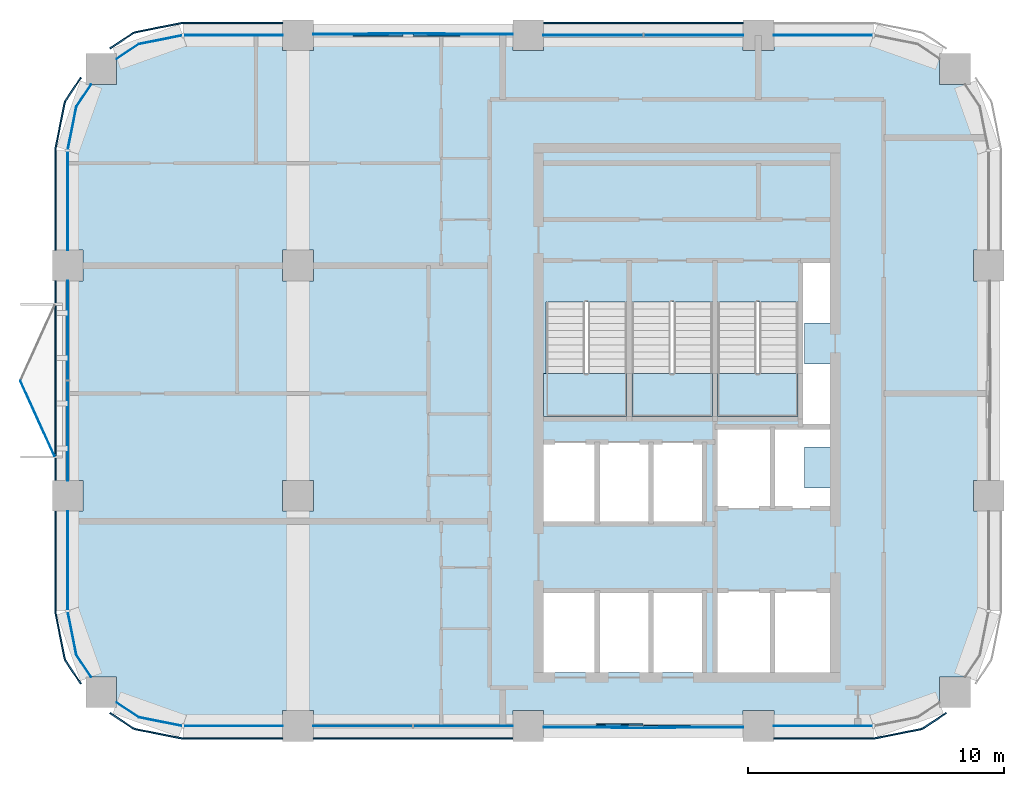
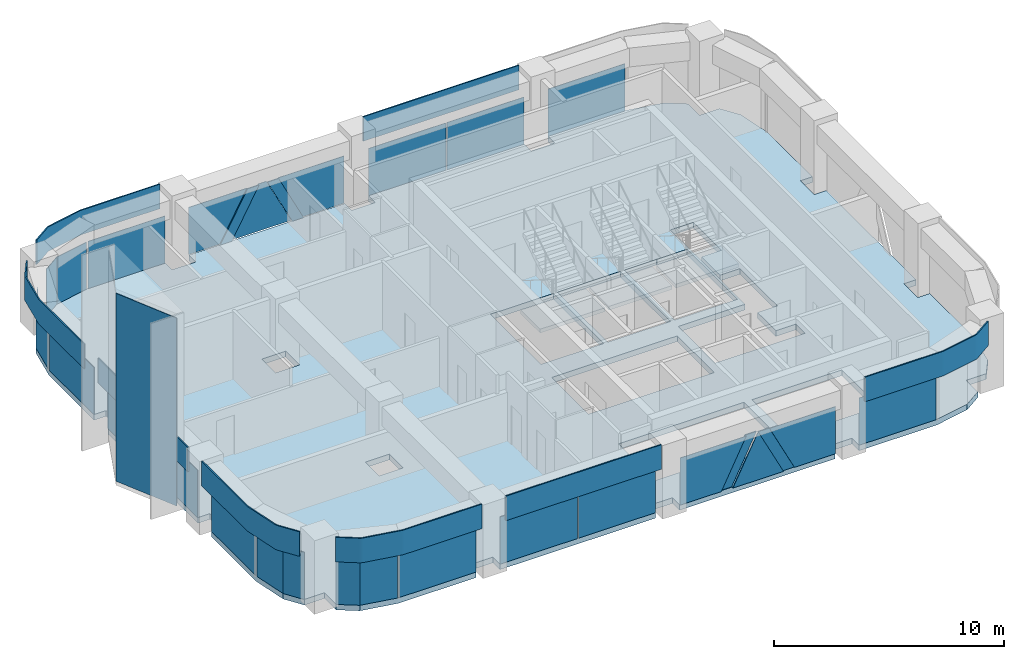
# One storey, part 5 of 10: 35 plates, 4 slabs, 14 elements without a shape of their own.
"""IFC4 building model written with IfcOpenShell, lengths in metres."""

import ifcopenshell
import ifcopenshell.guid

model = None  # the IFC model being written
_history = None  # IfcOwnerHistory: only IFC2X3 demands one
_inside = {}  # id of a spatial element -> (the spatial element, [elements in it])
_under = {}  # id of a project, library or spatial element -> (it, [spatial elements below it])
_declared = {}  # id of a project -> (the project, [libraries it declares])
_typed = {}  # id of a type object -> (the type object, [elements of that type])
_made_of = {}  # id of a material, layer set ... -> (it, [elements and type objects made of it])


def new_model(schema):
    """Start an empty IFC model of exactly this schema.

    Asked for "IFC4X3", IfcOpenShell would pick the latest addendum, in which some entities
    have other attributes; the version numbers below select the first issue.
    IFC2X3 requires an IfcOwnerHistory on every rooted entity: one is made here for all.
    """
    global model, _history
    if schema == "IFC4X3":
        model = ifcopenshell.file(schema_version=(4, 3, 0, 0))
    else:
        model = ifcopenshell.file(schema=schema)
    _inside.clear()
    _under.clear()
    _declared.clear()
    _typed.clear()
    _made_of.clear()
    _history = None
    if model.schema == "IFC2X3":
        org = make("IfcOrganization", Name="unknown")
        user = make(
            "IfcPersonAndOrganization",
            ThePerson=make("IfcPerson", FamilyName="unknown"),
            TheOrganization=org,
        )
        app = make(
            "IfcApplication",
            ApplicationDeveloper=org,
            Version="unknown",
            ApplicationFullName="unknown",
            ApplicationIdentifier="unknown",
        )
        _history = make(
            "IfcOwnerHistory",
            OwningUser=user,
            OwningApplication=app,
            ChangeAction="ADDED",
            CreationDate=0,
        )
    return model


def make(cls, **values):
    """One entity of the class cls with the attributes given. An attribute that is None is left unset."""
    return model.create_entity(
        cls, **{name: value for name, value in values.items() if value is not None}
    )


def rooted(cls, **values):
    """An entity with a GlobalId (a new one), such as an element, a storey or a relation."""
    return make(cls, GlobalId=ifcopenshell.guid.new(), OwnerHistory=_history, **values)


def si_unit(unit_type, name, prefix=None):
    """IfcSIUnit, for example si_unit("LENGTHUNIT", "METRE", prefix="MILLI")."""
    return make("IfcSIUnit", UnitType=unit_type, Prefix=prefix, Name=name)


def assignment(units):
    """IfcUnitAssignment: the units of a project."""
    return None if units is None else make("IfcUnitAssignment", Units=units)


def point(xyz):
    """IfcCartesianPoint."""
    return None if xyz is None else make("IfcCartesianPoint", Coordinates=xyz)


def direction(xyz):
    """IfcDirection."""
    return None if xyz is None else make("IfcDirection", DirectionRatios=xyz)


def frame(location, z_axis=None, x_axis=None):
    """IfcAxis2Placement3D, a coordinate frame: its origin and axes. An axis left out is left unset."""
    return make(
        "IfcAxis2Placement3D",
        Location=point(location),
        Axis=direction(z_axis),
        RefDirection=direction(x_axis),
    )


def frame_2d(location, x_axis=None):
    """IfcAxis2Placement2D, a coordinate frame in the plane: its origin and x axis."""
    return make(
        "IfcAxis2Placement2D", Location=point(location), RefDirection=direction(x_axis)
    )


def origin():
    """The frame at (0, 0, 0) with its axes left unset."""
    return frame((0.0, 0.0, 0.0))


def origin_2d():
    """The frame at (0, 0) in the plane with its x axis left unset."""
    return frame_2d((0.0, 0.0))


def place(relative_to, where):
    """IfcLocalPlacement: puts the frame where relative to a parent placement (None: the world)."""
    return make(
        "IfcLocalPlacement", PlacementRelTo=relative_to, RelativePlacement=where
    )


def context(
    kind, dimensions, precision=None, world=None, true_north=None, identifier=None
):
    """IfcGeometricRepresentationContext, for example the 3D "Model" context."""
    return make(
        "IfcGeometricRepresentationContext",
        ContextIdentifier=identifier,
        ContextType=kind,
        CoordinateSpaceDimension=dimensions,
        Precision=precision,
        WorldCoordinateSystem=world,
        TrueNorth=true_north,
    )


def subcontext(parent, identifier, kind, view, scale=None):
    """IfcGeometricRepresentationSubContext, for example "Body" below "Model"."""
    return make(
        "IfcGeometricRepresentationSubContext",
        ContextIdentifier=identifier,
        ContextType=kind,
        ParentContext=parent,
        TargetScale=scale,
        TargetView=view,
    )


def project(units=None, contexts=None):
    """IfcProject with its units and contexts."""
    return rooted(
        "IfcProject",
        Name="project",
        RepresentationContexts=contexts,
        UnitsInContext=assignment(units),
    )


def spatial(cls, under=None, at=None, **own):
    """A site, building, storey or space (cls), placed at a placement, below another one or the project."""
    s = rooted(cls, ObjectPlacement=at, **own)
    if under is not None:
        _under.setdefault(under.id(), (under, []))[1].append(s)
    return s


def polyline(points):
    """IfcPolyline through the points."""
    return make("IfcPolyline", Points=[point(p) for p in points])


def profile(cls, at=None, kind="AREA", **sizes):
    """A parametric profile (cls). Its sizes go by their IFC names, for example OverallWidth=200.0."""
    return make(cls, ProfileType=kind, Position=at, **sizes)


def rectangle(**sizes):
    """IfcRectangleProfileDef."""
    return profile("IfcRectangleProfileDef", **sizes)


def outline(outer, holes=None, kind="AREA"):
    """IfcArbitraryClosedProfileDef: a profile drawn as a closed curve; with holes, ...WithVoids."""
    if holes is None:
        return make("IfcArbitraryClosedProfileDef", ProfileType=kind, OuterCurve=outer)
    return make(
        "IfcArbitraryProfileDefWithVoids",
        ProfileType=kind,
        OuterCurve=outer,
        InnerCurves=holes,
    )


def extrude(swept, where, along, depth):
    """IfcExtrudedAreaSolid: the profile swept, set in the frame where, extruded along a direction by depth."""
    return make(
        "IfcExtrudedAreaSolid",
        SweptArea=swept,
        Position=where,
        ExtrudedDirection=direction(along),
        Depth=depth,
    )


def shape(context_of_items, identifier, shape_type, items):
    """IfcShapeRepresentation: the items that make up one representation, for example the "Body"."""
    return make(
        "IfcShapeRepresentation",
        ContextOfItems=context_of_items,
        RepresentationIdentifier=identifier,
        RepresentationType=shape_type,
        Items=items,
    )


def material(Name=None, Category=None):
    """IfcMaterial."""
    return make("IfcMaterial", Name=Name, Category=Category)


def layer(
    of_material, thickness, ventilated=None, Name=None, Category=None, Priority=None
):
    """IfcMaterialLayer: one layer of a wall or slab, of a material (None: an air gap)."""
    return make(
        "IfcMaterialLayer",
        Material=of_material,
        LayerThickness=thickness,
        IsVentilated=ventilated,
        Name=Name,
        Category=Category,
        Priority=Priority,
    )


def layer_set(layers, Name=None):
    """IfcMaterialLayerSet."""
    return make("IfcMaterialLayerSet", MaterialLayers=layers, LayerSetName=Name)


def made_of(thing, what):
    """Note that an element or type object is made of a material, layer set ...; save() writes the relation."""
    if what is not None:
        _made_of.setdefault(what.id(), (what, []))[1].append(thing)
    return thing


def type_object(cls, material=None, **own):
    """A type object (cls), such as IfcWallType, which elements share."""
    return made_of(rooted(cls, **own), material)


def element(
    cls,
    number,
    at=None,
    inside=None,
    cuts=None,
    type_object=None,
    material=None,
    context=None,
    identifier="Body",
    shape_type=None,
    held_by="IfcProductDefinitionShape",
    body=None,
    shapes=None,
    **own,
):
    """One element of the class cls, such as IfcWall. Its Tag is "e" and its number.

    at: its placement. inside: the storey or other place that contains it. cuts: it is an
    opening in that element (IfcRelVoidsElement). A single representation is given by context,
    identifier, shape_type and body (its items); several are given by shapes. held_by: the class
    of the entity that holds the representations. save() writes the other relations.
    """
    e = rooted(cls, Tag="e%d" % number, ObjectPlacement=at, **own)
    if body is not None:
        shapes = [shape(context, identifier, shape_type, body)]
    if shapes is not None:
        e.Representation = make(held_by, Representations=shapes)
    if inside is not None:
        _inside.setdefault(inside.id(), (inside, []))[1].append(e)
    if cuts is not None:
        rooted(
            "IfcRelVoidsElement", RelatingBuildingElement=cuts, RelatedOpeningElement=e
        )
    if type_object is not None:
        _typed.setdefault(type_object.id(), (type_object, []))[1].append(e)
    return made_of(e, material)


def aggregate(whole, parts):
    """IfcRelAggregates: a whole, such as a stair, and the parts it consists of."""
    return rooted("IfcRelAggregates", RelatingObject=whole, RelatedObjects=parts)


def save(model, path):
    """Write the relations noted so far, then the file.

    IfcRelAggregates (storeys below a building ...), IfcRelContainedInSpatialStructure (elements
    in a storey), IfcRelDefinesByType, IfcRelAssociatesMaterial and IfcRelDeclares: one each for
    every whole, place, type object, material and project.
    """
    for whole, parts in _under.values():
        aggregate(whole, parts)
    for where, things in _inside.values():
        rooted(
            "IfcRelContainedInSpatialStructure",
            RelatedElements=things,
            RelatingStructure=where,
        )
    for kind, things in _typed.values():
        rooted("IfcRelDefinesByType", RelatedObjects=things, RelatingType=kind)
    for what, things in _made_of.values():
        rooted("IfcRelAssociatesMaterial", RelatedObjects=things, RelatingMaterial=what)
    for by, libraries in _declared.values():
        rooted("IfcRelDeclares", RelatingContext=by, RelatedDefinitions=libraries)
    model.write(path)


model = new_model("IFC4")

# Units and contexts
model_context = context("Model", 3, precision=1e-05, world=origin(), true_north=direction((0.0, 1.0)))
body_context = subcontext(model_context, "Body", "Model", "MODEL_VIEW")
ifc_project = project(units=[si_unit("LENGTHUNIT", "METRE"), si_unit("AREAUNIT", "SQUARE_METRE"), si_unit("VOLUMEUNIT", "CUBIC_METRE"), si_unit("PLANEANGLEUNIT", "RADIAN"), si_unit("MASSUNIT", "GRAM", prefix="KILO")], contexts=[model_context])

# Site, building, storey
site_placement = place(None, origin())
site = spatial("IfcSite", under=ifc_project, at=site_placement, CompositionType="ELEMENT")
building_placement = place(site_placement, origin())
building = spatial("IfcBuilding", under=site, at=building_placement, Name="Tessera Arch", CompositionType="ELEMENT")
storey_placement = place(building_placement, frame((0.0, 0.0, 238.39990234375)))
storey = spatial("IfcBuildingStorey", under=building, at=storey_placement, Name="L57", CompositionType="ELEMENT", Elevation=238.39990234375)

# Curtain wall, plates
ifc_material_1 = material(Name="CW1 curtain wall")
curtain_wall_type_1 = type_object("IfcCurtainWallType", Name="CW1 curtain wall", PredefinedType="NOTDEFINED", material=ifc_material_1)
curtain_wall_1_placement = place(storey_placement, origin())
curtain_wall_1 = element("IfcCurtainWall", 1, at=curtain_wall_1_placement, inside=storey, type_object=curtain_wall_type_1, Name="CW1 curtain wall N54.18/1 L57", PredefinedType="NOTDEFINED")
ifc_material_2 = material(Name="Clear low-e glass", Category="glass")
ifc_material_3 = material(Name="Clear low-e glass", Category="glass")
ifc_layer_1 = layer(ifc_material_3, 0.028076171875)
ifc_layer_set_1 = layer_set([ifc_layer_1], Name="CW1 glass panel")
plate_type_1 = type_object("IfcPlateType", Name="CW1 glass panel", PredefinedType="CURTAIN_PANEL", material=ifc_layer_set_1)
plate_1_placement = place(storey_placement, frame((42.465087890625, 54.0, 0.0), z_axis=(0.0, 0.0, 1.0), x_axis=(-1.0, 0.0, 0.0)))
plate_1 = element("IfcPlate", 2, at=plate_1_placement, type_object=plate_type_1, material=ifc_material_2, Name="CW1 glass panel N54.18/1 1.1.1", PredefinedType="CURTAIN_PANEL", context=body_context, shape_type="SweptSolid", body=[
    extrude(rectangle(XDim=3.8701171875, YDim=0.028076171875, at=origin_2d()), origin(), (0.0, 0.0, 1.0), 2.5),
])
plate_2_placement = place(storey_placement, frame((38.534912109375, 54.0, 0.0), z_axis=(0.0, 0.0, 1.0), x_axis=(-1.0, 0.0, 0.0)))
plate_2 = element("IfcPlate", 3, at=plate_2_placement, type_object=plate_type_1, material=ifc_material_2, Name="CW1 glass panel N54.18/1 1.2.1", PredefinedType="CURTAIN_PANEL", context=body_context, shape_type="SweptSolid", body=[
    extrude(rectangle(XDim=3.8701171875, YDim=0.028076171875, at=origin_2d()), origin(), (0.0, 0.0, 1.0), 2.5),
])

curtain_wall_2_placement = place(storey_placement, origin())
curtain_wall_2 = element("IfcCurtainWall", 4, at=curtain_wall_2_placement, inside=storey, type_object=curtain_wall_type_1, Name="CW1 curtain wall W18.27/1 L57", PredefinedType="NOTDEFINED")
plate_3_placement = place(storey_placement, frame((18.0, 42.465087890625, 0.0), z_axis=(0.0, 0.0, 1.0), x_axis=(0.0, -1.0, 0.0)))
plate_3 = element("IfcPlate", 5, at=plate_3_placement, type_object=plate_type_1, material=ifc_material_2, Name="CW1 glass panel W18.27/1 1.1.1", PredefinedType="CURTAIN_PANEL", context=body_context, shape_type="SweptSolid", body=[
    extrude(rectangle(XDim=3.8701171875, YDim=0.028076171875, at=origin_2d()), origin(), (0.0, 0.0, 1.0), 2.5),
])
plate_4_placement = place(storey_placement, frame((18.0, 38.534912109375, 0.0), z_axis=(0.0, 0.0, 1.0), x_axis=(0.0, -1.0, 0.0)))
plate_4 = element("IfcPlate", 6, at=plate_4_placement, type_object=plate_type_1, material=ifc_material_2, Name="CW1 glass panel W18.27/1 1.2.1", PredefinedType="CURTAIN_PANEL", context=body_context, shape_type="SweptSolid", body=[
    extrude(rectangle(XDim=3.8701171875, YDim=0.028076171875, at=origin_2d()), origin(), (0.0, 0.0, 1.0), 2.5),
])

curtain_wall_3_placement = place(storey_placement, origin())
curtain_wall_3 = element("IfcCurtainWall", 7, at=curtain_wall_3_placement, inside=storey, type_object=curtain_wall_type_1, Name="CW1 curtain wall S27.18/1 L57", PredefinedType="NOTDEFINED")
plate_5_placement = place(storey_placement, frame((29.534912109375, 27.0, 0.0), z_axis=(0.0, 0.0, 1.0), x_axis=(1.0, 0.0, 0.0)))
plate_5 = element("IfcPlate", 8, at=plate_5_placement, type_object=plate_type_1, material=ifc_material_2, Name="CW1 glass panel S27.18/1 1.1.1", PredefinedType="CURTAIN_PANEL", context=body_context, shape_type="SweptSolid", body=[
    extrude(rectangle(XDim=3.8701171875, YDim=0.028076171875, at=origin_2d()), origin(), (0.0, 0.0, 1.0), 2.5),
])
plate_6_placement = place(storey_placement, frame((33.465087890625, 27.0, 0.0), z_axis=(0.0, 0.0, 1.0), x_axis=(1.0, 0.0, 0.0)))
plate_6 = element("IfcPlate", 9, at=plate_6_placement, type_object=plate_type_1, material=ifc_material_2, Name="CW1 glass panel S27.18/1 1.2.1", PredefinedType="CURTAIN_PANEL", context=body_context, shape_type="SweptSolid", body=[
    extrude(rectangle(XDim=3.8701171875, YDim=0.028076171875, at=origin_2d()), origin(), (0.0, 0.0, 1.0), 2.5),
])

# Plate
ifc_material_4 = material(Name="Pale anodised aluminium panel", Category="aluminium")
ifc_layer_2 = layer(ifc_material_4, 0.06005859375)
ifc_layer_set_2 = layer_set([ifc_layer_2], Name="CW1 spandrel panel")
plate_type_2 = type_object("IfcPlateType", Name="CW1 spandrel panel", PredefinedType="CURTAIN_PANEL", material=ifc_layer_set_2)
plate_7_placement = place(storey_placement, frame((40.5, 54.47998046875, 2.60009765625), z_axis=(0.0, 0.0, 1.0), x_axis=(-1.0, 0.0, 0.0)))
plate_7 = element("IfcPlate", 10, at=plate_7_placement, type_object=plate_type_2, Name="CW1 spandrel panel N54.18/1", PredefinedType="CURTAIN_PANEL", context=body_context, shape_type="SweptSolid", body=[
    extrude(rectangle(XDim=7.800048828125, YDim=0.06005859375, at=origin_2d()), origin(), (0.0, 0.0, 1.0), 1.300048828125),
])

aggregate(curtain_wall_1, [plate_1, plate_2, plate_7])

plate_8_placement = place(storey_placement, frame((17.52001953125, 40.5, 2.60009765625), z_axis=(0.0, 0.0, 1.0), x_axis=(0.0, -1.0, 0.0)))
plate_8 = element("IfcPlate", 11, at=plate_8_placement, type_object=plate_type_2, Name="CW1 spandrel panel W18.27/1", PredefinedType="CURTAIN_PANEL", context=body_context, shape_type="SweptSolid", body=[
    extrude(rectangle(XDim=7.800048828125, YDim=0.06005859375, at=origin_2d()), origin(), (0.0, 0.0, 1.0), 1.300048828125),
])

aggregate(curtain_wall_2, [plate_3, plate_4, plate_8])

plate_9_placement = place(storey_placement, frame((31.5, 26.52001953125, 2.60009765625), z_axis=(0.0, 0.0, 1.0), x_axis=(1.0, 0.0, 0.0)))
plate_9 = element("IfcPlate", 12, at=plate_9_placement, type_object=plate_type_2, Name="CW1 spandrel panel S27.18/1", PredefinedType="CURTAIN_PANEL", context=body_context, shape_type="SweptSolid", body=[
    extrude(rectangle(XDim=7.800048828125, YDim=0.06005859375, at=origin_2d()), origin(), (0.0, 0.0, 1.0), 1.300048828125),
])

aggregate(curtain_wall_3, [plate_5, plate_6, plate_9])

# Curtain wall, plate
ifc_material_5 = material(Name="CW2 curtain wall")
curtain_wall_type_2 = type_object("IfcCurtainWallType", Name="CW2 curtain wall", PredefinedType="NOTDEFINED", material=ifc_material_5)
curtain_wall_4_placement = place(storey_placement, origin())
curtain_wall_4 = element("IfcCurtainWall", 13, at=curtain_wall_4_placement, inside=storey, type_object=curtain_wall_type_2, Name="CW2 curtain wall N54.18/0 L57", PredefinedType="NOTDEFINED")
ifc_material_6 = material(Name="Clear low-e glass", Category="glass")
ifc_layer_3 = layer(ifc_material_6, 0.028076171875)
ifc_layer_set_3 = layer_set([ifc_layer_3], Name="CW2 glass panel")
plate_type_3 = type_object("IfcPlateType", Name="CW2 glass panel", PredefinedType="CURTAIN_PANEL", material=ifc_layer_set_3)
plate_10_placement = place(storey_placement, frame((47.530029296875, 54.0, 0.0), z_axis=(0.0, 0.0, 1.0), x_axis=(-1.0, 0.0, 0.0)))
plate_10 = element("IfcPlate", 14, at=plate_10_placement, type_object=plate_type_3, material=ifc_material_2, Name="CW2 glass panel N54.18/0 1.1", PredefinedType="CURTAIN_PANEL", context=body_context, shape_type="SweptSolid", body=[
    extrude(rectangle(XDim=3.860107421875, YDim=0.028076171875, at=origin_2d()), origin(), (0.0, 0.0, 1.0), 2.5),
])
aggregate(curtain_wall_4, [plate_10])

# Curtain wall, plates
curtain_wall_5_placement = place(storey_placement, origin())
curtain_wall_5 = element("IfcCurtainWall", 15, at=curtain_wall_5_placement, inside=storey, type_object=curtain_wall_type_2, Name="CW2 curtain wall N54.18/3 L57", PredefinedType="NOTDEFINED")
plate_11_placement = place(storey_placement, frame((24.469970703125, 54.0, 0.0), z_axis=(0.0, 0.0, 1.0), x_axis=(-1.0, 0.0, 0.0)))
plate_11 = element("IfcPlate", 16, at=plate_11_placement, type_object=plate_type_3, material=ifc_material_2, Name="CW2 glass panel N54.18/3 1.1", PredefinedType="CURTAIN_PANEL", context=body_context, shape_type="SweptSolid", body=[
    extrude(rectangle(XDim=3.860107421875, YDim=0.028076171875, at=origin_2d()), origin(), (0.0, 0.0, 1.0), 2.5),
])
plate_12_placement = place(storey_placement, origin())
plate_12 = element("IfcPlate", 17, at=plate_12_placement, type_object=plate_type_3, material=ifc_material_2, Name="CW2 curved glass panel N54.18/3 2.1", PredefinedType="CURTAIN_PANEL", context=body_context, shape_type="SweptSolid", body=[
    extrude(outline(polyline([(20.783447265625, 53.644287109375), (22.46337890625, 53.978515625), (22.4580078125, 54.005859375), (20.7724609375, 53.670654296875), (19.91015625, 53.094482421875), (19.92578125, 53.0712890625), (20.783447265625, 53.644287109375)])), origin(), (0.0, 0.0, 1.0), 2.5),
])

curtain_wall_6_placement = place(storey_placement, origin())
curtain_wall_6 = element("IfcCurtainWall", 18, at=curtain_wall_6_placement, inside=storey, type_object=curtain_wall_type_2, Name="CW2 curtain wall W18.27/0 L57", PredefinedType="NOTDEFINED")
plate_13_placement = place(storey_placement, frame((18.0, 47.530029296875, 0.0), z_axis=(0.0, 0.0, 1.0), x_axis=(0.0, -1.0, 0.0)))
plate_13 = element("IfcPlate", 19, at=plate_13_placement, type_object=plate_type_3, material=ifc_material_2, Name="CW2 glass panel W18.27/0 1.1", PredefinedType="CURTAIN_PANEL", context=body_context, shape_type="SweptSolid", body=[
    extrude(rectangle(XDim=3.860107421875, YDim=0.028076171875, at=origin_2d()), origin(), (0.0, 0.0, 1.0), 2.5),
])
plate_14_placement = place(storey_placement, origin())
plate_14 = element("IfcPlate", 20, at=plate_14_placement, type_object=plate_type_3, material=ifc_material_2, Name="CW2 curved glass panel W18.27/0 2.1", PredefinedType="CURTAIN_PANEL", context=body_context, shape_type="SweptSolid", body=[
    extrude(outline(polyline([(18.355712890625, 51.216552734375), (18.9287109375, 52.07421875), (18.905517578125, 52.08984375), (18.329345703125, 51.2275390625), (17.994140625, 49.5419921875), (18.021484375, 49.53662109375), (18.355712890625, 51.216552734375)])), origin(), (0.0, 0.0, 1.0), 2.5),
])

curtain_wall_7_placement = place(storey_placement, origin())
curtain_wall_7 = element("IfcCurtainWall", 21, at=curtain_wall_7_placement, inside=storey, type_object=curtain_wall_type_2, Name="CW2 curtain wall W18.27/2 L57", PredefinedType="NOTDEFINED")
plate_15_placement = place(storey_placement, frame((18.0, 33.469970703125, 0.0), z_axis=(0.0, 0.0, 1.0), x_axis=(0.0, -1.0, 0.0)))
plate_15 = element("IfcPlate", 22, at=plate_15_placement, type_object=plate_type_3, material=ifc_material_2, Name="CW2 glass panel W18.27/2 1.1", PredefinedType="CURTAIN_PANEL", context=body_context, shape_type="SweptSolid", body=[
    extrude(rectangle(XDim=3.860107421875, YDim=0.028076171875, at=origin_2d()), origin(), (0.0, 0.0, 1.0), 2.5),
])
plate_16_placement = place(storey_placement, origin())
plate_16 = element("IfcPlate", 23, at=plate_16_placement, type_object=plate_type_3, material=ifc_material_2, Name="CW2 curved glass panel W18.27/2 2.1", PredefinedType="CURTAIN_PANEL", context=body_context, shape_type="SweptSolid", body=[
    extrude(outline(polyline([(18.355712890625, 29.783447265625), (18.021484375, 31.46337890625), (17.994140625, 31.4580078125), (18.329345703125, 29.7724609375), (18.905517578125, 28.91015625), (18.9287109375, 28.92578125), (18.355712890625, 29.783447265625)])), origin(), (0.0, 0.0, 1.0), 2.5),
])

curtain_wall_8_placement = place(storey_placement, origin())
curtain_wall_8 = element("IfcCurtainWall", 24, at=curtain_wall_8_placement, inside=storey, type_object=curtain_wall_type_2, Name="CW2 curtain wall S27.18/0 L57", PredefinedType="NOTDEFINED")
plate_17_placement = place(storey_placement, frame((24.469970703125, 27.0, 0.0), z_axis=(0.0, 0.0, 1.0), x_axis=(1.0, 0.0, 0.0)))
plate_17 = element("IfcPlate", 25, at=plate_17_placement, type_object=plate_type_3, material=ifc_material_2, Name="CW2 glass panel S27.18/0 1.1", PredefinedType="CURTAIN_PANEL", context=body_context, shape_type="SweptSolid", body=[
    extrude(rectangle(XDim=3.860107421875, YDim=0.028076171875, at=origin_2d()), origin(), (0.0, 0.0, 1.0), 2.5),
])
plate_18_placement = place(storey_placement, origin())
plate_18 = element("IfcPlate", 26, at=plate_18_placement, type_object=plate_type_3, material=ifc_material_2, Name="CW2 curved glass panel S27.18/0 2.1", PredefinedType="CURTAIN_PANEL", context=body_context, shape_type="SweptSolid", body=[
    extrude(outline(polyline([(20.783447265625, 27.355712890625), (19.92578125, 27.9287109375), (19.91015625, 27.905517578125), (20.7724609375, 27.329345703125), (22.4580078125, 26.994140625), (22.46337890625, 27.021484375), (20.783447265625, 27.355712890625)])), origin(), (0.0, 0.0, 1.0), 2.5),
])

# Curtain wall, plate
curtain_wall_9_placement = place(storey_placement, origin())
curtain_wall_9 = element("IfcCurtainWall", 27, at=curtain_wall_9_placement, inside=storey, type_object=curtain_wall_type_2, Name="CW2 curtain wall S27.18/3 L57", PredefinedType="NOTDEFINED")
plate_19_placement = place(storey_placement, frame((47.530029296875, 27.0, 0.0), z_axis=(0.0, 0.0, 1.0), x_axis=(1.0, 0.0, 0.0)))
plate_19 = element("IfcPlate", 28, at=plate_19_placement, type_object=plate_type_3, material=ifc_material_2, Name="CW2 glass panel S27.18/3 1.1", PredefinedType="CURTAIN_PANEL", context=body_context, shape_type="SweptSolid", body=[
    extrude(rectangle(XDim=3.860107421875, YDim=0.028076171875, at=origin_2d()), origin(), (0.0, 0.0, 1.0), 2.5),
])

# Plate
ifc_material_7 = material(Name="Pale anodised aluminium panel", Category="aluminium")
ifc_layer_4 = layer(ifc_material_7, 0.06005859375)
ifc_layer_set_4 = layer_set([ifc_layer_4], Name="CW2 spandrel panel")
plate_type_4 = type_object("IfcPlateType", Name="CW2 spandrel panel", PredefinedType="CURTAIN_PANEL", material=ifc_layer_set_4)
plate_20_placement = place(storey_placement, frame((0.0, 0.0, 2.60009765625)))
plate_20 = element("IfcPlate", 29, at=plate_20_placement, type_object=plate_type_4, Name="CW2 spandrel panel N54.18/3", PredefinedType="CURTAIN_PANEL", context=body_context, shape_type="SweptSolid", body=[
    extrude(outline(polyline([(22.500732421875, 54.449951171875), (26.39990234375, 54.449951171875), (26.39990234375, 54.510009765625), (22.499267578125, 54.510009765625), (22.449951171875, 54.507568359375), (22.401123046875, 54.500244140625), (20.677734375, 54.157470703125), (20.6298828125, 54.1455078125), (20.582763671875, 54.128662109375), (20.537353515625, 54.107421875), (20.4951171875, 54.08203125), (19.634765625, 53.5068359375), (19.66796875, 53.45703125), (20.52734375, 54.03125), (20.565673828125, 54.054443359375), (20.605712890625, 54.0732421875), (20.647216796875, 54.088134765625), (20.69091796875, 54.09912109375), (22.411376953125, 54.441162109375), (22.455810546875, 54.44775390625), (22.500732421875, 54.449951171875)])), origin(), (0.0, 0.0, 1.0), 1.300048828125),
])

aggregate(curtain_wall_5, [plate_11, plate_12, plate_20])

plate_21_placement = place(storey_placement, frame((0.0, 0.0, 2.60009765625)))
plate_21 = element("IfcPlate", 30, at=plate_21_placement, type_object=plate_type_4, Name="CW2 spandrel panel W18.27/0", PredefinedType="CURTAIN_PANEL", context=body_context, shape_type="SweptSolid", body=[
    extrude(outline(polyline([(17.96875, 51.47265625), (18.54296875, 52.33203125), (18.4931640625, 52.365234375), (17.91796875, 51.5048828125), (17.892578125, 51.462646484375), (17.871337890625, 51.417236328125), (17.8544921875, 51.3701171875), (17.842529296875, 51.322265625), (17.499755859375, 49.598876953125), (17.492431640625, 49.550048828125), (17.489990234375, 49.500732421875), (17.489990234375, 45.60009765625), (17.550048828125, 45.60009765625), (17.550048828125, 49.499267578125), (17.55224609375, 49.544189453125), (17.558837890625, 49.588623046875), (17.90087890625, 51.30908203125), (17.911865234375, 51.352783203125), (17.9267578125, 51.394287109375), (17.945556640625, 51.434326171875), (17.96875, 51.47265625)])), origin(), (0.0, 0.0, 1.0), 1.300048828125),
])

aggregate(curtain_wall_6, [plate_13, plate_14, plate_21])

plate_22_placement = place(storey_placement, frame((0.0, 0.0, 2.60009765625)))
plate_22 = element("IfcPlate", 31, at=plate_22_placement, type_object=plate_type_4, Name="CW2 spandrel panel W18.27/2", PredefinedType="CURTAIN_PANEL", context=body_context, shape_type="SweptSolid", body=[
    extrude(outline(polyline([(17.550048828125, 31.500732421875), (17.550048828125, 35.39990234375), (17.489990234375, 35.39990234375), (17.489990234375, 31.499267578125), (17.492431640625, 31.449951171875), (17.499755859375, 31.401123046875), (17.842529296875, 29.677734375), (17.8544921875, 29.6298828125), (17.871337890625, 29.582763671875), (17.892578125, 29.537353515625), (17.91796875, 29.4951171875), (18.4931640625, 28.634765625), (18.54296875, 28.66796875), (17.96875, 29.52734375), (17.945556640625, 29.565673828125), (17.9267578125, 29.605712890625), (17.911865234375, 29.647216796875), (17.90087890625, 29.69091796875), (17.558837890625, 31.411376953125), (17.55224609375, 31.455810546875), (17.550048828125, 31.500732421875)])), origin(), (0.0, 0.0, 1.0), 1.300048828125),
])

aggregate(curtain_wall_7, [plate_15, plate_16, plate_22])

plate_23_placement = place(storey_placement, frame((0.0, 0.0, 2.60009765625)))
plate_23 = element("IfcPlate", 32, at=plate_23_placement, type_object=plate_type_4, Name="CW2 spandrel panel S27.18/0", PredefinedType="CURTAIN_PANEL", context=body_context, shape_type="SweptSolid", body=[
    extrude(outline(polyline([(20.52734375, 26.96875), (19.66796875, 27.54296875), (19.634765625, 27.4931640625), (20.4951171875, 26.91796875), (20.537353515625, 26.892578125), (20.582763671875, 26.871337890625), (20.6298828125, 26.8544921875), (20.677734375, 26.842529296875), (22.401123046875, 26.499755859375), (22.449951171875, 26.492431640625), (22.499267578125, 26.489990234375), (26.39990234375, 26.489990234375), (26.39990234375, 26.550048828125), (22.500732421875, 26.550048828125), (22.455810546875, 26.55224609375), (22.411376953125, 26.558837890625), (20.69091796875, 26.90087890625), (20.647216796875, 26.911865234375), (20.605712890625, 26.9267578125), (20.565673828125, 26.945556640625), (20.52734375, 26.96875)])), origin(), (0.0, 0.0, 1.0), 1.300048828125),
])

aggregate(curtain_wall_8, [plate_17, plate_18, plate_23])

plate_24_placement = place(storey_placement, frame((0.0, 0.0, 2.60009765625)))
plate_24 = element("IfcPlate", 33, at=plate_24_placement, type_object=plate_type_4, Name="CW2 spandrel panel S27.18/3", PredefinedType="CURTAIN_PANEL", context=body_context, shape_type="SweptSolid", body=[
    extrude(outline(polyline([(49.499267578125, 26.550048828125), (45.60009765625, 26.550048828125), (45.60009765625, 26.489990234375), (49.500732421875, 26.489990234375), (49.550048828125, 26.492431640625), (49.598876953125, 26.499755859375), (51.322265625, 26.842529296875), (51.3701171875, 26.8544921875), (51.417236328125, 26.871337890625), (51.462646484375, 26.892578125), (51.5048828125, 26.91796875), (52.365234375, 27.4931640625), (52.33203125, 27.54296875), (51.47265625, 26.96875), (51.434326171875, 26.945556640625), (51.394287109375, 26.9267578125), (51.352783203125, 26.911865234375), (51.30908203125, 26.90087890625), (49.588623046875, 26.558837890625), (49.544189453125, 26.55224609375), (49.499267578125, 26.550048828125)])), origin(), (0.0, 0.0, 1.0), 1.300048828125),
])

aggregate(curtain_wall_9, [plate_19, plate_24])

# Curtain wall, plates
ifc_material_8 = material(Name="CW3 curtain wall")
curtain_wall_type_3 = type_object("IfcCurtainWallType", Name="CW3 curtain wall", PredefinedType="NOTDEFINED", material=ifc_material_8)
curtain_wall_10_placement = place(storey_placement, origin())
curtain_wall_10 = element("IfcCurtainWall", 34, at=curtain_wall_10_placement, inside=storey, type_object=curtain_wall_type_3, Name="CW3 curtain wall N54.18/2 L57", PredefinedType="NOTDEFINED")
ifc_material_9 = material(Name="Pale anodised aluminium panel", Category="aluminium")
ifc_layer_5 = layer(ifc_material_9, 0.06005859375)
ifc_layer_set_5 = layer_set([ifc_layer_5], Name="CW3 diagonal panel")
plate_type_5 = type_object("IfcPlateType", Name="CW3 diagonal panel", PredefinedType="CURTAIN_PANEL", material=ifc_layer_set_5)
plate_25_placement = place(storey_placement, frame((30.523193359375, 54.030029296875, 2.5), z_axis=(0.0, 1.0, 0.0), x_axis=(1.0, 0.0, 0.0)))
plate_25 = element("IfcPlate", 35, at=plate_25_placement, type_object=plate_type_5, Name="CW3 diagonal panel N54.18/2 1", PredefinedType="CURTAIN_PANEL", context=body_context, shape_type="SweptSolid", body=[
    extrude(outline(polyline([(0.0, 0.0), (0.575439453125, 0.0), (-0.79052734375, 2.5), (-1.36572265625, 2.5), (0.0, 0.0)])), origin(), (0.0, 0.0, -1.0), 0.06005859375),
])
plate_26_placement = place(storey_placement, frame((31.517822265625, 54.030029296875, 2.5), z_axis=(0.0, 1.0, 0.0), x_axis=(1.0, 0.0, 0.0)))
plate_26 = element("IfcPlate", 36, at=plate_26_placement, type_object=plate_type_5, Name="CW3 diagonal panel N54.18/2 2", PredefinedType="CURTAIN_PANEL", context=body_context, shape_type="SweptSolid", body=[
    extrude(outline(polyline([(0.0, 0.0), (0.564453125, 0.0), (1.814453125, 2.5), (1.25, 2.5), (0.0, 0.0)])), origin(), (0.0, 0.0, -1.0), 0.06005859375),
])

curtain_wall_11_placement = place(storey_placement, origin())
curtain_wall_11 = element("IfcCurtainWall", 37, at=curtain_wall_11_placement, inside=storey, type_object=curtain_wall_type_3, Name="CW3 curtain wall S27.18/2 L57", PredefinedType="NOTDEFINED")
plate_27_placement = place(storey_placement, frame((41.082275390625, 26.969970703125, 2.5), z_axis=(0.0, -1.0, 0.0), x_axis=(-1.0, 0.0, 0.0)))
plate_27 = element("IfcPlate", 38, at=plate_27_placement, type_object=plate_type_5, Name="CW3 diagonal panel S27.18/2 1", PredefinedType="CURTAIN_PANEL", context=body_context, shape_type="SweptSolid", body=[
    extrude(outline(polyline([(0.0, 0.0), (0.564453125, 0.0), (-0.685546875, 2.5), (-1.25, 2.5), (0.0, 0.0)])), origin(), (0.0, 0.0, -1.0), 0.06005859375),
])
plate_28_placement = place(storey_placement, frame((40.482177734375, 27.030029296875, 2.5), z_axis=(0.0, -1.0, 0.0), x_axis=(-1.0, 0.0, 0.0)))
plate_28 = element("IfcPlate", 39, at=plate_28_placement, type_object=plate_type_5, Name="CW3 diagonal panel S27.18/2 2", PredefinedType="CURTAIN_PANEL", context=body_context, shape_type="SweptSolid", body=[
    extrude(outline(polyline([(0.0, 0.0), (0.564453125, 0.0), (1.814453125, 2.5), (1.25, 2.5), (0.0, 0.0)])), origin(), (0.0, 0.0, -1.0), 0.06005859375),
])

# Plate
ifc_material_10 = material(Name="Clear low-e glass", Category="glass")
ifc_layer_6 = layer(ifc_material_10, 0.028076171875)
ifc_layer_set_6 = layer_set([ifc_layer_6], Name="CW3 glass panel")
plate_type_6 = type_object("IfcPlateType", Name="CW3 glass panel", PredefinedType="CURTAIN_PANEL", material=ifc_layer_set_6)
plate_29_placement = place(storey_placement, frame((35.39990234375, 54.05810546875, 0.0), z_axis=(0.0, 1.0, 0.0), x_axis=(-1.0, 0.0, 0.0)))
plate_29 = element("IfcPlate", 40, at=plate_29_placement, type_object=plate_type_6, material=ifc_material_2, Name="CW3 triangulated glass panel N54.18/2 1", PredefinedType="CURTAIN_PANEL", context=body_context, shape_type="SweptSolid", body=[
    extrude(outline(polyline([(0.0, 0.0), (2.067626953125, 0.0), (3.317626953125, 2.5), (0.0, 2.5), (0.0, 0.0)])), origin(), (0.0, 0.0, -1.0), 0.028076171875),
])

plate_30_placement = place(storey_placement, frame((31.0986328125, 54.0859375, 2.5), z_axis=(0.0, 1.0, 0.0), x_axis=(1.0, 0.0, 0.0)))
plate_30 = element("IfcPlate", 41, at=plate_30_placement, type_object=plate_type_6, material=ifc_material_2, Name="CW3 triangulated glass panel N54.18/2 2", PredefinedType="CURTAIN_PANEL", context=body_context, shape_type="SweptSolid", body=[
    extrude(outline(polyline([(0.0, 0.0), (0.419189453125, 0.0), (1.669189453125, 2.5), (-1.365966796875, 2.5), (0.0, 0.0)])), origin(), (0.0, 0.0, -1.0), 0.028076171875),
])

plate_31_placement = place(storey_placement, frame((27.60009765625, 54.05810546875, 2.5), z_axis=(0.0, 1.0, 0.0), x_axis=(1.0, 0.0, 0.0)))
plate_31 = element("IfcPlate", 42, at=plate_31_placement, type_object=plate_type_6, material=ifc_material_2, Name="CW3 triangulated glass panel N54.18/2 3", PredefinedType="CURTAIN_PANEL", context=body_context, shape_type="SweptSolid", body=[
    extrude(outline(polyline([(0.0, 0.0), (2.923095703125, 0.0), (1.557373046875, 2.5), (0.0, 2.5), (0.0, 0.0)])), origin(), (0.0, 0.0, -1.0), 0.028076171875),
])

aggregate(curtain_wall_10, [plate_29, plate_30, plate_31, plate_25, plate_26])

plate_32_placement = place(storey_placement, frame((36.60009765625, 26.94189453125, 0.0), z_axis=(0.0, -1.0, 0.0), x_axis=(1.0, 0.0, 0.0)))
plate_32 = element("IfcPlate", 43, at=plate_32_placement, type_object=plate_type_6, material=ifc_material_2, Name="CW3 triangulated glass panel S27.18/2 1", PredefinedType="CURTAIN_PANEL", context=body_context, shape_type="SweptSolid", body=[
    extrude(outline(polyline([(0.0, 0.0), (2.067626953125, 0.0), (3.317626953125, 2.5), (0.0, 2.5), (0.0, 0.0)])), origin(), (0.0, 0.0, -1.0), 0.028076171875),
])

plate_33_placement = place(storey_placement, frame((40.517822265625, 26.9140625, 2.5), z_axis=(0.0, -1.0, 0.0), x_axis=(-1.0, 0.0, 0.0)))
plate_33 = element("IfcPlate", 44, at=plate_33_placement, type_object=plate_type_6, material=ifc_material_2, Name="CW3 triangulated glass panel S27.18/2 2", PredefinedType="CURTAIN_PANEL", context=body_context, shape_type="SweptSolid", body=[
    extrude(outline(polyline([(0.0, 0.0), (0.03564453125, 0.0), (1.28564453125, 2.5), (-1.25, 2.5), (0.0, 0.0)])), origin(), (0.0, 0.0, -1.0), 0.028076171875),
])

plate_34_placement = place(storey_placement, frame((44.39990234375, 26.94189453125, 2.5), z_axis=(0.0, -1.0, 0.0), x_axis=(-1.0, 0.0, 0.0)))
plate_34 = element("IfcPlate", 45, at=plate_34_placement, type_object=plate_type_6, material=ifc_material_2, Name="CW3 triangulated glass panel S27.18/2 3", PredefinedType="CURTAIN_PANEL", context=body_context, shape_type="SweptSolid", body=[
    extrude(outline(polyline([(0.0, 0.0), (3.317626953125, 0.0), (2.067626953125, 2.5), (0.0, 2.5), (0.0, 0.0)])), origin(), (0.0, 0.0, -1.0), 0.028076171875),
])

aggregate(curtain_wall_11, [plate_32, plate_33, plate_34, plate_27, plate_28])

# Slab
ifc_material_11 = material(Name="Concrete C40/50", Category="concrete")
ifc_layer_7 = layer(ifc_material_11, 0.300048828125)
ifc_layer_set_7 = layer_set([ifc_layer_7], Name="Floor slab 300 Concrete C40/50")
slab_type_1 = type_object("IfcSlabType", Name="Floor slab 300 Concrete C40/50", PredefinedType="FLOOR", material=ifc_layer_set_7)
slab_1_placement = place(storey_placement, frame((0.0, 0.0, -0.2998046875)))
element("IfcSlab", 46, at=slab_1_placement, inside=storey, type_object=slab_type_1, Name="Floor slab L57 1", PredefinedType="FLOOR", context=body_context, shape_type="SweptSolid", body=[
    extrude(outline(polyline([(54.0, 31.5), (53.657470703125, 29.77783203125), (53.0830078125, 28.91796875), (52.08203125, 28.91796875), (52.08203125, 27.9169921875), (51.22216796875, 27.342529296875), (49.5, 27.0), (45.60009765625, 27.0), (45.60009765625, 27.60009765625), (44.39990234375, 27.60009765625), (44.39990234375, 27.0), (36.60009765625, 27.0), (36.60009765625, 27.60009765625), (35.39990234375, 27.60009765625), (35.39990234375, 27.0), (27.60009765625, 27.0), (27.60009765625, 27.60009765625), (26.39990234375, 27.60009765625), (26.39990234375, 27.0), (22.5, 27.0), (20.77783203125, 27.342529296875), (19.91796875, 27.9169921875), (19.91796875, 28.91796875), (18.9169921875, 28.91796875), (18.342529296875, 29.77783203125), (18.0, 31.5), (18.0, 35.39990234375), (18.60009765625, 35.39990234375), (18.60009765625, 36.60009765625), (18.0, 36.60009765625), (18.0, 44.39990234375), (18.60009765625, 44.39990234375), (18.60009765625, 45.60009765625), (18.0, 45.60009765625), (18.0, 49.5), (18.342529296875, 51.22216796875), (18.9169921875, 52.08203125), (19.91796875, 52.08203125), (19.91796875, 53.0830078125), (20.77783203125, 53.657470703125), (22.5, 54.0), (26.39990234375, 54.0), (26.39990234375, 53.39990234375), (27.60009765625, 53.39990234375), (27.60009765625, 54.0), (35.39990234375, 54.0), (35.39990234375, 53.39990234375), (36.60009765625, 53.39990234375), (36.60009765625, 54.0), (44.39990234375, 54.0), (44.39990234375, 53.39990234375), (45.60009765625, 53.39990234375), (45.60009765625, 54.0), (49.5, 54.0), (51.22216796875, 53.657470703125), (52.08203125, 53.0830078125), (52.08203125, 52.08203125), (53.0830078125, 52.08203125), (53.657470703125, 51.22216796875), (54.0, 49.5), (54.0, 45.60009765625), (53.39990234375, 45.60009765625), (53.39990234375, 44.39990234375), (54.0, 44.39990234375), (54.0, 36.60009765625), (53.39990234375, 36.60009765625), (53.39990234375, 35.39990234375), (54.0, 35.39990234375), (54.0, 31.5)]), holes=[polyline([(40.800048828125, 29.10009765625), (42.89990234375, 29.10009765625), (42.89990234375, 32.300048828125), (40.800048828125, 32.300048828125), (38.699951171875, 32.300048828125), (36.60009765625, 32.300048828125), (36.60009765625, 29.10009765625), (38.699951171875, 29.10009765625), (40.800048828125, 29.10009765625)]), polyline([(27.60009765625, 35.39990234375), (27.60009765625, 36.60009765625), (26.39990234375, 36.60009765625), (26.39990234375, 35.39990234375), (27.60009765625, 35.39990234375)]), polyline([(40.800048828125, 34.89990234375), (42.89990234375, 34.89990234375), (42.89990234375, 38.10009765625), (40.800048828125, 38.10009765625), (38.699951171875, 38.10009765625), (36.60009765625, 38.10009765625), (36.60009765625, 34.89990234375), (38.699951171875, 34.89990234375), (40.800048828125, 34.89990234375)]), polyline([(38.219970703125, 43.580078125), (38.219970703125, 43.570068359375), (36.699951171875, 43.570068359375), (36.699951171875, 39.199951171875), (39.85009765625, 39.199951171875), (39.85009765625, 43.570068359375), (38.330078125, 43.570068359375), (38.330078125, 43.580078125), (38.219970703125, 43.580078125)]), polyline([(27.60009765625, 44.39990234375), (27.60009765625, 45.60009765625), (26.39990234375, 45.60009765625), (26.39990234375, 44.39990234375), (27.60009765625, 44.39990234375)]), polyline([(47.800048828125, 32.300048828125), (45.550048828125, 32.300048828125), (43.300048828125, 32.300048828125), (43.300048828125, 29.10009765625), (45.550048828125, 29.10009765625), (47.800048828125, 29.10009765625), (47.800048828125, 32.300048828125)]), polyline([(46.64990234375, 38.699951171875), (45.550048828125, 38.699951171875), (43.300048828125, 38.699951171875), (43.300048828125, 35.5), (45.550048828125, 35.5), (47.800048828125, 35.5), (47.800048828125, 36.300048828125), (46.800048828125, 36.300048828125), (46.800048828125, 37.89990234375), (47.800048828125, 37.89990234375), (47.800048828125, 38.699951171875), (47.800048828125, 41.14990234375), (46.800048828125, 41.14990234375), (46.800048828125, 42.75), (47.800048828125, 42.75), (47.800048828125, 45.199951171875), (46.64990234375, 45.199951171875), (46.64990234375, 38.699951171875)]), polyline([(41.570068359375, 43.580078125), (41.570068359375, 43.570068359375), (40.050048828125, 43.570068359375), (40.050048828125, 39.199951171875), (43.199951171875, 39.199951171875), (43.199951171875, 43.570068359375), (41.679931640625, 43.570068359375), (41.679931640625, 43.580078125), (41.570068359375, 43.580078125)]), polyline([(44.919921875, 43.580078125), (44.919921875, 43.570068359375), (43.39990234375, 43.570068359375), (43.39990234375, 39.199951171875), (46.550048828125, 39.199951171875), (46.550048828125, 43.570068359375), (45.030029296875, 43.570068359375), (45.030029296875, 43.580078125), (44.919921875, 43.580078125)])]), origin(), (0.0, 0.0, 1.0), 0.2998046875),
])

# Stair, slab
ifc_material_12 = material(Name="Concrete C40/50", Category="concrete")
stair_type = type_object("IfcStairType", Name="Dogleg stair 1520", PredefinedType="HALF_TURN_STAIR", material=ifc_material_12)
stair_1_placement = place(storey_placement, origin())
stair_1 = element("IfcStair", 47, at=stair_1_placement, inside=storey, type_object=stair_type, Name="L57 S1a", PredefinedType="HALF_TURN_STAIR")
ifc_material_13 = material(Name="Concrete C40/50", Category="concrete")
ifc_layer_8 = layer(ifc_material_13, 0.300048828125)
ifc_layer_set_8 = layer_set([ifc_layer_8], Name="Stair landing 300")
slab_type_2 = type_object("IfcSlabType", Name="Stair landing 300", PredefinedType="LANDING", material=ifc_layer_set_8)
slab_2_placement = place(storey_placement, frame((0.0, 0.0, 1.75)))
slab_2 = element("IfcSlab", 48, at=slab_2_placement, type_object=slab_type_2, Name="S1a landing 1", PredefinedType="LANDING", context=body_context, shape_type="SweptSolid", body=[
    extrude(outline(polyline([(36.60009765625, 40.780029296875), (36.60009765625, 39.10009765625), (39.85009765625, 39.10009765625), (39.85009765625, 40.780029296875), (36.60009765625, 40.780029296875)])), origin(), (0.0, 0.0, 1.0), 0.2001953125),
])
aggregate(stair_1, [slab_2])

stair_2_placement = place(storey_placement, origin())
stair_2 = element("IfcStair", 49, at=stair_2_placement, inside=storey, type_object=stair_type, Name="L57 S1b", PredefinedType="HALF_TURN_STAIR")
slab_3_placement = place(storey_placement, frame((0.0, 0.0, 1.75)))
slab_3 = element("IfcSlab", 50, at=slab_3_placement, type_object=slab_type_2, Name="S1b landing 1", PredefinedType="LANDING", context=body_context, shape_type="SweptSolid", body=[
    extrude(outline(polyline([(40.050048828125, 40.780029296875), (40.050048828125, 39.10009765625), (43.199951171875, 39.10009765625), (43.199951171875, 40.780029296875), (40.050048828125, 40.780029296875)])), origin(), (0.0, 0.0, 1.0), 0.2001953125),
])
aggregate(stair_2, [slab_3])

stair_3_placement = place(storey_placement, origin())
stair_3 = element("IfcStair", 51, at=stair_3_placement, inside=storey, type_object=stair_type, Name="L57 S1c", PredefinedType="HALF_TURN_STAIR")
slab_4_placement = place(storey_placement, frame((0.0, 0.0, 1.75)))
slab_4 = element("IfcSlab", 52, at=slab_4_placement, type_object=slab_type_2, Name="S1c landing 1", PredefinedType="LANDING", context=body_context, shape_type="SweptSolid", body=[
    extrude(outline(polyline([(43.39990234375, 40.780029296875), (43.39990234375, 39.10009765625), (46.550048828125, 39.10009765625), (46.550048828125, 40.780029296875), (43.39990234375, 40.780029296875)])), origin(), (0.0, 0.0, 1.0), 0.2001953125),
])
aggregate(stair_3, [slab_4])

# Plate
ifc_material_14 = material(Name="Clear low-e glass", Category="glass")
ifc_layer_9 = layer(ifc_material_14, 0.028076171875)
ifc_layer_set_9 = layer_set([ifc_layer_9], Name="Window box glass facet")
plate_type_7 = type_object("IfcPlateType", Name="Window box glass facet", PredefinedType="SHEET", material=ifc_layer_set_9)
plate_35_placement = place(storey_placement, frame((16.820068359375, 39.02490234375, 0.22021484375), z_axis=(0.0, 0.0, 1.0), x_axis=(-0.413570397858, 0.910472144558, 0.0)))
element("IfcPlate", 53, at=plate_35_placement, inside=storey, type_object=plate_type_7, Name="Window box W18.27/1.0 2x3 glass", PredefinedType="SHEET", context=body_context, shape_type="SweptSolid", body=[
    extrude(rectangle(XDim=3.239990234375, YDim=0.028076171875, at=origin_2d()), origin(), (0.0, 0.0, 1.0), 9.9599609375),
])

save(model, "model.ifc")
